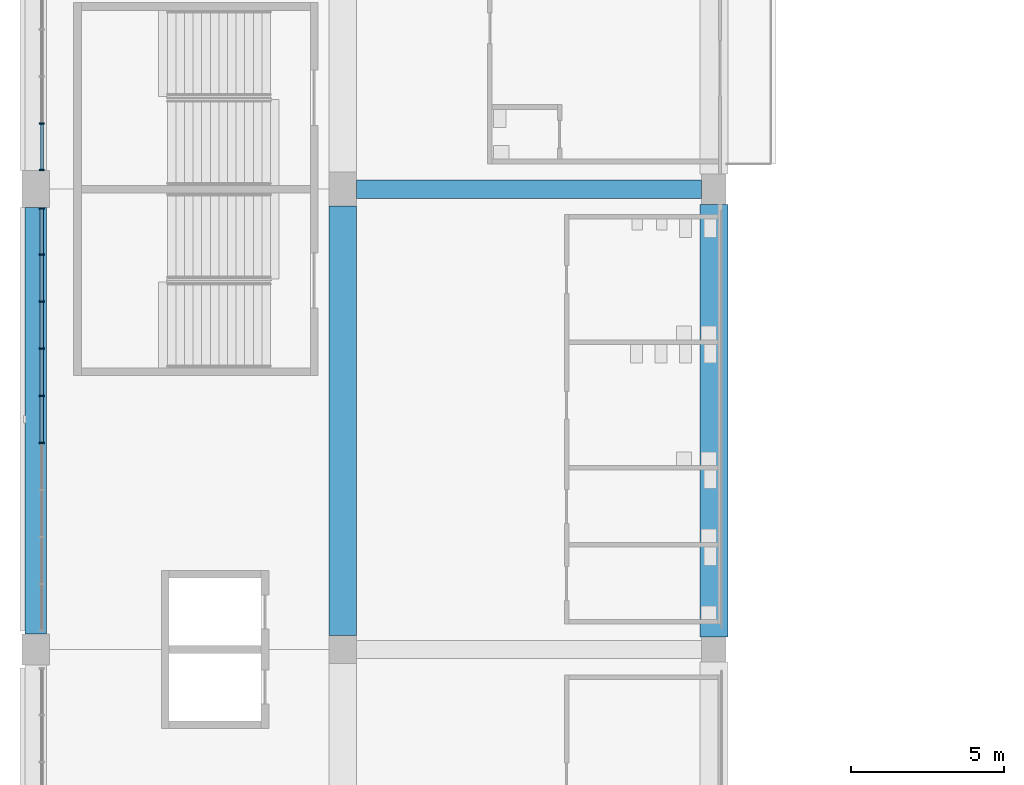
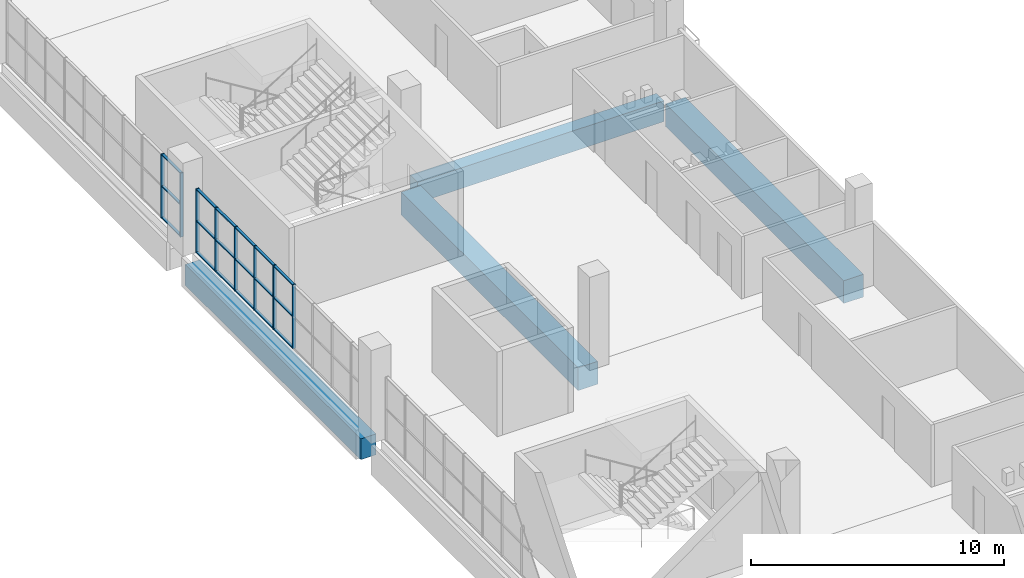
# One storey, part 20 of 199: 26 members, 4 beams, 2 elements without a shape of their own.
"""IFC4 building model written with IfcOpenShell, lengths in metres."""

import ifcopenshell
import ifcopenshell.guid

model = None  # the IFC model being written
_history = None  # IfcOwnerHistory: only IFC2X3 demands one
_inside = {}  # id of a spatial element -> (the spatial element, [elements in it])
_under = {}  # id of a project, library or spatial element -> (it, [spatial elements below it])
_declared = {}  # id of a project -> (the project, [libraries it declares])
_typed = {}  # id of a type object -> (the type object, [elements of that type])
_made_of = {}  # id of a material, layer set ... -> (it, [elements and type objects made of it])


def new_model(schema):
    """Start an empty IFC model of exactly this schema.

    Asked for "IFC4X3", IfcOpenShell would pick the latest addendum, in which some entities
    have other attributes; the version numbers below select the first issue.
    IFC2X3 requires an IfcOwnerHistory on every rooted entity: one is made here for all.
    """
    global model, _history
    if schema == "IFC4X3":
        model = ifcopenshell.file(schema_version=(4, 3, 0, 0))
    else:
        model = ifcopenshell.file(schema=schema)
    _inside.clear()
    _under.clear()
    _declared.clear()
    _typed.clear()
    _made_of.clear()
    _history = None
    if model.schema == "IFC2X3":
        org = make("IfcOrganization", Name="unknown")
        user = make(
            "IfcPersonAndOrganization",
            ThePerson=make("IfcPerson", FamilyName="unknown"),
            TheOrganization=org,
        )
        app = make(
            "IfcApplication",
            ApplicationDeveloper=org,
            Version="unknown",
            ApplicationFullName="unknown",
            ApplicationIdentifier="unknown",
        )
        _history = make(
            "IfcOwnerHistory",
            OwningUser=user,
            OwningApplication=app,
            ChangeAction="ADDED",
            CreationDate=0,
        )
    return model


def make(cls, **values):
    """One entity of the class cls with the attributes given. An attribute that is None is left unset."""
    return model.create_entity(
        cls, **{name: value for name, value in values.items() if value is not None}
    )


def rooted(cls, **values):
    """An entity with a GlobalId (a new one), such as an element, a storey or a relation."""
    return make(cls, GlobalId=ifcopenshell.guid.new(), OwnerHistory=_history, **values)


def si_unit(unit_type, name, prefix=None):
    """IfcSIUnit, for example si_unit("LENGTHUNIT", "METRE", prefix="MILLI")."""
    return make("IfcSIUnit", UnitType=unit_type, Prefix=prefix, Name=name)


def assignment(units):
    """IfcUnitAssignment: the units of a project."""
    return None if units is None else make("IfcUnitAssignment", Units=units)


def point(xyz):
    """IfcCartesianPoint."""
    return None if xyz is None else make("IfcCartesianPoint", Coordinates=xyz)


def direction(xyz):
    """IfcDirection."""
    return None if xyz is None else make("IfcDirection", DirectionRatios=xyz)


def frame(location, z_axis=None, x_axis=None):
    """IfcAxis2Placement3D, a coordinate frame: its origin and axes. An axis left out is left unset."""
    return make(
        "IfcAxis2Placement3D",
        Location=point(location),
        Axis=direction(z_axis),
        RefDirection=direction(x_axis),
    )


def frame_2d(location, x_axis=None):
    """IfcAxis2Placement2D, a coordinate frame in the plane: its origin and x axis."""
    return make(
        "IfcAxis2Placement2D", Location=point(location), RefDirection=direction(x_axis)
    )


def origin():
    """The frame at (0, 0, 0) with its axes left unset."""
    return frame((0.0, 0.0, 0.0))


def origin_2d():
    """The frame at (0, 0) in the plane with its x axis left unset."""
    return frame_2d((0.0, 0.0))


def place(relative_to, where):
    """IfcLocalPlacement: puts the frame where relative to a parent placement (None: the world)."""
    return make(
        "IfcLocalPlacement", PlacementRelTo=relative_to, RelativePlacement=where
    )


def context(
    kind, dimensions, precision=None, world=None, true_north=None, identifier=None
):
    """IfcGeometricRepresentationContext, for example the 3D "Model" context."""
    return make(
        "IfcGeometricRepresentationContext",
        ContextIdentifier=identifier,
        ContextType=kind,
        CoordinateSpaceDimension=dimensions,
        Precision=precision,
        WorldCoordinateSystem=world,
        TrueNorth=true_north,
    )


def subcontext(parent, identifier, kind, view, scale=None):
    """IfcGeometricRepresentationSubContext, for example "Body" below "Model"."""
    return make(
        "IfcGeometricRepresentationSubContext",
        ContextIdentifier=identifier,
        ContextType=kind,
        ParentContext=parent,
        TargetScale=scale,
        TargetView=view,
    )


def project(units=None, contexts=None):
    """IfcProject with its units and contexts."""
    return rooted(
        "IfcProject",
        Name="project",
        RepresentationContexts=contexts,
        UnitsInContext=assignment(units),
    )


def spatial(cls, under=None, at=None, **own):
    """A site, building, storey or space (cls), placed at a placement, below another one or the project."""
    s = rooted(cls, ObjectPlacement=at, **own)
    if under is not None:
        _under.setdefault(under.id(), (under, []))[1].append(s)
    return s


def profile(cls, at=None, kind="AREA", **sizes):
    """A parametric profile (cls). Its sizes go by their IFC names, for example OverallWidth=200.0."""
    return make(cls, ProfileType=kind, Position=at, **sizes)


def rectangle(**sizes):
    """IfcRectangleProfileDef."""
    return profile("IfcRectangleProfileDef", **sizes)


def extrude(swept, where, along, depth):
    """IfcExtrudedAreaSolid: the profile swept, set in the frame where, extruded along a direction by depth."""
    return make(
        "IfcExtrudedAreaSolid",
        SweptArea=swept,
        Position=where,
        ExtrudedDirection=direction(along),
        Depth=depth,
    )


def shape(context_of_items, identifier, shape_type, items):
    """IfcShapeRepresentation: the items that make up one representation, for example the "Body"."""
    return make(
        "IfcShapeRepresentation",
        ContextOfItems=context_of_items,
        RepresentationIdentifier=identifier,
        RepresentationType=shape_type,
        Items=items,
    )


def material(Name=None, Category=None):
    """IfcMaterial."""
    return make("IfcMaterial", Name=Name, Category=Category)


def material_profile(
    of_material, cross_section, Name=None, Category=None, Priority=None
):
    """IfcMaterialProfile: a cross section and its material."""
    return make(
        "IfcMaterialProfile",
        Name=Name,
        Material=of_material,
        Profile=cross_section,
        Priority=Priority,
        Category=Category,
    )


def profile_set(profiles, Name=None, composite=None):
    """IfcMaterialProfileSet."""
    return make(
        "IfcMaterialProfileSet",
        Name=Name,
        MaterialProfiles=profiles,
        CompositeProfile=composite,
    )


def made_of(thing, what):
    """Note that an element or type object is made of a material, layer set ...; save() writes the relation."""
    if what is not None:
        _made_of.setdefault(what.id(), (what, []))[1].append(thing)
    return thing


def type_object(cls, material=None, **own):
    """A type object (cls), such as IfcWallType, which elements share."""
    return made_of(rooted(cls, **own), material)


def element(
    cls,
    number,
    at=None,
    inside=None,
    cuts=None,
    type_object=None,
    material=None,
    context=None,
    identifier="Body",
    shape_type=None,
    held_by="IfcProductDefinitionShape",
    body=None,
    shapes=None,
    **own,
):
    """One element of the class cls, such as IfcWall. Its Tag is "e" and its number.

    at: its placement. inside: the storey or other place that contains it. cuts: it is an
    opening in that element (IfcRelVoidsElement). A single representation is given by context,
    identifier, shape_type and body (its items); several are given by shapes. held_by: the class
    of the entity that holds the representations. save() writes the other relations.
    """
    e = rooted(cls, Tag="e%d" % number, ObjectPlacement=at, **own)
    if body is not None:
        shapes = [shape(context, identifier, shape_type, body)]
    if shapes is not None:
        e.Representation = make(held_by, Representations=shapes)
    if inside is not None:
        _inside.setdefault(inside.id(), (inside, []))[1].append(e)
    if cuts is not None:
        rooted(
            "IfcRelVoidsElement", RelatingBuildingElement=cuts, RelatedOpeningElement=e
        )
    if type_object is not None:
        _typed.setdefault(type_object.id(), (type_object, []))[1].append(e)
    return made_of(e, material)


def aggregate(whole, parts):
    """IfcRelAggregates: a whole, such as a stair, and the parts it consists of."""
    return rooted("IfcRelAggregates", RelatingObject=whole, RelatedObjects=parts)


def save(model, path):
    """Write the relations noted so far, then the file.

    IfcRelAggregates (storeys below a building ...), IfcRelContainedInSpatialStructure (elements
    in a storey), IfcRelDefinesByType, IfcRelAssociatesMaterial and IfcRelDeclares: one each for
    every whole, place, type object, material and project.
    """
    for whole, parts in _under.values():
        aggregate(whole, parts)
    for where, things in _inside.values():
        rooted(
            "IfcRelContainedInSpatialStructure",
            RelatedElements=things,
            RelatingStructure=where,
        )
    for kind, things in _typed.values():
        rooted("IfcRelDefinesByType", RelatedObjects=things, RelatingType=kind)
    for what, things in _made_of.values():
        rooted("IfcRelAssociatesMaterial", RelatedObjects=things, RelatingMaterial=what)
    for by, libraries in _declared.values():
        rooted("IfcRelDeclares", RelatingContext=by, RelatedDefinitions=libraries)
    model.write(path)


model = new_model("IFC4")

# Units and contexts
model_context = context("Model", 3, precision=1e-05, world=origin(), true_north=direction((0.0, 1.0)))
body_context = subcontext(model_context, "Body", "Model", "MODEL_VIEW")
ifc_project = project(units=[si_unit("LENGTHUNIT", "METRE"), si_unit("AREAUNIT", "SQUARE_METRE"), si_unit("VOLUMEUNIT", "CUBIC_METRE"), si_unit("PLANEANGLEUNIT", "RADIAN"), si_unit("MASSUNIT", "GRAM", prefix="KILO")], contexts=[model_context])

# Site, building, storey
site_placement = place(None, origin())
site = spatial("IfcSite", under=ifc_project, at=site_placement, CompositionType="ELEMENT")
building_placement = place(site_placement, origin())
building = spatial("IfcBuilding", under=site, at=building_placement, Name="Ogive Plaza Stadium", CompositionType="ELEMENT")
storey_placement = place(building_placement, frame((0.0, 0.0, 9.0)))
storey = spatial("IfcBuildingStorey", under=building, at=storey_placement, Name="L02", CompositionType="ELEMENT", Elevation=9.0)

# Curtain wall, members
ifc_material_1 = material(Name="Bronze-anodised aluminium with laminated glass", Category="aluminium")
curtain_wall_type = type_object("IfcCurtainWallType", Name="Lancet curtain wall", PredefinedType="NOTDEFINED", material=ifc_material_1)
curtain_wall_1_placement = place(storey_placement, origin())
curtain_wall_1 = element("IfcCurtainWall", 1, at=curtain_wall_1_placement, inside=storey, type_object=curtain_wall_type, Name="CURTAIN WALL B25 L02", PredefinedType="NOTDEFINED")
ifc_material_2 = material(Name="Bronze-anodised aluminium", Category="aluminium")
ifc_material_profile_1 = material_profile(ifc_material_2, rectangle(XDim=0.14990234375, YDim=0.050048828125, at=origin_2d()), Name="AL 150x50")
ifc_profile_set_1 = profile_set([ifc_material_profile_1], Name="Bronze-anodised aluminium")
member_type_1 = type_object("IfcMemberType", Name="Curtain wall mullion 50x150", PredefinedType="MULLION", material=ifc_profile_set_1)
member_1_placement = place(storey_placement, frame((-83.800048828125, 14.2333984375, 0.0), z_axis=(0.0, 0.0, 1.0), x_axis=(-1.0, 0.0, 0.0)))
member_1 = element("IfcMember", 2, at=member_1_placement, type_object=member_type_1, Name="CW-B25-L02 mullion 5", PredefinedType="MULLION", context=body_context, shape_type="SweptSolid", body=[
    extrude(rectangle(XDim=0.14990234375, YDim=0.050048828125, at=origin_2d()), origin(), (0.0, 0.0, 1.0), 3.090087890625),
])
member_2_placement = place(storey_placement, frame((-83.800048828125, 15.7666015625, 0.0), z_axis=(0.0, 0.0, 1.0), x_axis=(-1.0, 0.0, 0.0)))
member_2 = element("IfcMember", 3, at=member_2_placement, type_object=member_type_1, Name="CW-B25-L02 mullion 6", PredefinedType="MULLION", context=body_context, shape_type="SweptSolid", body=[
    extrude(rectangle(XDim=0.14990234375, YDim=0.050048828125, at=origin_2d()), origin(), (0.0, 0.0, 1.0), 3.090087890625),
])
member_3_placement = place(storey_placement, frame((-83.800048828125, 17.300048828125, 0.0), z_axis=(0.0, 0.0, 1.0), x_axis=(-1.0, 0.0, 0.0)))
member_3 = element("IfcMember", 4, at=member_3_placement, type_object=member_type_1, Name="CW-B25-L02 mullion 7", PredefinedType="MULLION", context=body_context, shape_type="SweptSolid", body=[
    extrude(rectangle(XDim=0.14990234375, YDim=0.050048828125, at=origin_2d()), origin(), (0.0, 0.0, 1.0), 3.090087890625),
])
member_4_placement = place(storey_placement, frame((-83.800048828125, 18.833251953125, 0.0), z_axis=(0.0, 0.0, 1.0), x_axis=(-1.0, 0.0, 0.0)))
member_4 = element("IfcMember", 5, at=member_4_placement, type_object=member_type_1, Name="CW-B25-L02 mullion 8", PredefinedType="MULLION", context=body_context, shape_type="SweptSolid", body=[
    extrude(rectangle(XDim=0.14990234375, YDim=0.050048828125, at=origin_2d()), origin(), (0.0, 0.0, 1.0), 3.090087890625),
])
member_5_placement = place(storey_placement, frame((-83.800048828125, 20.36669921875, 0.0), z_axis=(0.0, 0.0, 1.0), x_axis=(-1.0, 0.0, 0.0)))
member_5 = element("IfcMember", 6, at=member_5_placement, type_object=member_type_1, Name="CW-B25-L02 mullion 9", PredefinedType="MULLION", context=body_context, shape_type="SweptSolid", body=[
    extrude(rectangle(XDim=0.14990234375, YDim=0.050048828125, at=origin_2d()), origin(), (0.0, 0.0, 1.0), 3.090087890625),
])
member_6_placement = place(storey_placement, frame((-83.800048828125, 21.875, 0.0), z_axis=(0.0, 0.0, 1.0), x_axis=(-1.0, 0.0, 0.0)))
member_6 = element("IfcMember", 7, at=member_6_placement, type_object=member_type_1, Name="CW-B25-L02 mullion 10", PredefinedType="MULLION", context=body_context, shape_type="SweptSolid", body=[
    extrude(rectangle(XDim=0.14990234375, YDim=0.050048828125, at=origin_2d()), origin(), (0.0, 0.0, 1.0), 3.090087890625),
])

curtain_wall_2_placement = place(storey_placement, origin())
curtain_wall_2 = element("IfcCurtainWall", 8, at=curtain_wall_2_placement, inside=storey, type_object=curtain_wall_type, Name="CURTAIN WALL B26 L02", PredefinedType="NOTDEFINED")
member_7_placement = place(storey_placement, frame((-83.800048828125, 23.125, 0.0), z_axis=(0.0, 0.0, 1.0), x_axis=(-1.0, 0.0, 0.0)))
member_7 = element("IfcMember", 9, at=member_7_placement, type_object=member_type_1, Name="CW-B26-L02 mullion 1", PredefinedType="MULLION", context=body_context, shape_type="SweptSolid", body=[
    extrude(rectangle(XDim=0.14990234375, YDim=0.050048828125, at=origin_2d()), origin(), (0.0, 0.0, 1.0), 3.090087890625),
])
member_8_placement = place(storey_placement, frame((-83.800048828125, 24.63330078125, 0.0), z_axis=(0.0, 0.0, 1.0), x_axis=(-1.0, 0.0, 0.0)))
member_8 = element("IfcMember", 10, at=member_8_placement, type_object=member_type_1, Name="CW-B26-L02 mullion 2", PredefinedType="MULLION", context=body_context, shape_type="SweptSolid", body=[
    extrude(rectangle(XDim=0.14990234375, YDim=0.050048828125, at=origin_2d()), origin(), (0.0, 0.0, 1.0), 3.090087890625),
])

# Member
ifc_material_3 = material(Name="Bronze-anodised aluminium", Category="aluminium")
ifc_material_profile_2 = material_profile(ifc_material_3, rectangle(XDim=0.1201171875, YDim=0.050048828125, at=origin_2d()), Name="AL 120x50")
ifc_profile_set_2 = profile_set([ifc_material_profile_2], Name="Bronze-anodised aluminium")
member_type_2 = type_object("IfcMemberType", Name="Curtain wall transom 50x120", PredefinedType="USERDEFINED", material=ifc_profile_set_2)
member_9_placement = place(storey_placement, frame((-83.800048828125, 14.25830078125, 0.02490234375), z_axis=(0.0, 1.0, 0.0), x_axis=(-1.0, 0.0, 0.0)))
member_9 = element("IfcMember", 11, at=member_9_placement, type_object=member_type_2, Name="CW-B25-L02 transom 5.1", ObjectType="TRANSOM", PredefinedType="USERDEFINED", context=body_context, shape_type="SweptSolid", body=[
    extrude(rectangle(XDim=0.1201171875, YDim=0.050048828125, at=origin_2d()), origin(), (0.0, 0.0, 1.0), 1.4833984375),
])

member_10_placement = place(storey_placement, frame((-83.800048828125, 14.25830078125, 1.544921875), z_axis=(0.0, 1.0, 0.0), x_axis=(-1.0, 0.0, 0.0)))
member_10 = element("IfcMember", 12, at=member_10_placement, type_object=member_type_2, Name="CW-B25-L02 transom 5.2", ObjectType="TRANSOM", PredefinedType="USERDEFINED", context=body_context, shape_type="SweptSolid", body=[
    extrude(rectangle(XDim=0.1201171875, YDim=0.050048828125, at=origin_2d()), origin(), (0.0, 0.0, 1.0), 1.4833984375),
])

member_11_placement = place(storey_placement, frame((-83.800048828125, 14.25830078125, 3.06494140625), z_axis=(0.0, 1.0, 0.0), x_axis=(-1.0, 0.0, 0.0)))
member_11 = element("IfcMember", 13, at=member_11_placement, type_object=member_type_2, Name="CW-B25-L02 transom 5.3", ObjectType="TRANSOM", PredefinedType="USERDEFINED", context=body_context, shape_type="SweptSolid", body=[
    extrude(rectangle(XDim=0.1201171875, YDim=0.050048828125, at=origin_2d()), origin(), (0.0, 0.0, 1.0), 1.4833984375),
])

member_12_placement = place(storey_placement, frame((-83.800048828125, 15.791748046875, 0.02490234375), z_axis=(0.0, 1.0, 0.0), x_axis=(-1.0, 0.0, 0.0)))
member_12 = element("IfcMember", 14, at=member_12_placement, type_object=member_type_2, Name="CW-B25-L02 transom 6.1", ObjectType="TRANSOM", PredefinedType="USERDEFINED", context=body_context, shape_type="SweptSolid", body=[
    extrude(rectangle(XDim=0.1201171875, YDim=0.050048828125, at=origin_2d()), origin(), (0.0, 0.0, 1.0), 1.483154296875),
])

member_13_placement = place(storey_placement, frame((-83.800048828125, 15.791748046875, 1.544921875), z_axis=(0.0, 1.0, 0.0), x_axis=(-1.0, 0.0, 0.0)))
member_13 = element("IfcMember", 15, at=member_13_placement, type_object=member_type_2, Name="CW-B25-L02 transom 6.2", ObjectType="TRANSOM", PredefinedType="USERDEFINED", context=body_context, shape_type="SweptSolid", body=[
    extrude(rectangle(XDim=0.1201171875, YDim=0.050048828125, at=origin_2d()), origin(), (0.0, 0.0, 1.0), 1.483154296875),
])

member_14_placement = place(storey_placement, frame((-83.800048828125, 15.791748046875, 3.06494140625), z_axis=(0.0, 1.0, 0.0), x_axis=(-1.0, 0.0, 0.0)))
member_14 = element("IfcMember", 16, at=member_14_placement, type_object=member_type_2, Name="CW-B25-L02 transom 6.3", ObjectType="TRANSOM", PredefinedType="USERDEFINED", context=body_context, shape_type="SweptSolid", body=[
    extrude(rectangle(XDim=0.1201171875, YDim=0.050048828125, at=origin_2d()), origin(), (0.0, 0.0, 1.0), 1.483154296875),
])

member_15_placement = place(storey_placement, frame((-83.800048828125, 17.324951171875, 0.02490234375), z_axis=(0.0, 1.0, 0.0), x_axis=(-1.0, 0.0, 0.0)))
member_15 = element("IfcMember", 17, at=member_15_placement, type_object=member_type_2, Name="CW-B25-L02 transom 7.1", ObjectType="TRANSOM", PredefinedType="USERDEFINED", context=body_context, shape_type="SweptSolid", body=[
    extrude(rectangle(XDim=0.1201171875, YDim=0.050048828125, at=origin_2d()), origin(), (0.0, 0.0, 1.0), 1.4833984375),
])

member_16_placement = place(storey_placement, frame((-83.800048828125, 17.324951171875, 1.544921875), z_axis=(0.0, 1.0, 0.0), x_axis=(-1.0, 0.0, 0.0)))
member_16 = element("IfcMember", 18, at=member_16_placement, type_object=member_type_2, Name="CW-B25-L02 transom 7.2", ObjectType="TRANSOM", PredefinedType="USERDEFINED", context=body_context, shape_type="SweptSolid", body=[
    extrude(rectangle(XDim=0.1201171875, YDim=0.050048828125, at=origin_2d()), origin(), (0.0, 0.0, 1.0), 1.4833984375),
])

member_17_placement = place(storey_placement, frame((-83.800048828125, 17.324951171875, 3.06494140625), z_axis=(0.0, 1.0, 0.0), x_axis=(-1.0, 0.0, 0.0)))
member_17 = element("IfcMember", 19, at=member_17_placement, type_object=member_type_2, Name="CW-B25-L02 transom 7.3", ObjectType="TRANSOM", PredefinedType="USERDEFINED", context=body_context, shape_type="SweptSolid", body=[
    extrude(rectangle(XDim=0.1201171875, YDim=0.050048828125, at=origin_2d()), origin(), (0.0, 0.0, 1.0), 1.4833984375),
])

member_18_placement = place(storey_placement, frame((-83.800048828125, 18.8583984375, 0.02490234375), z_axis=(0.0, 1.0, 0.0), x_axis=(-1.0, 0.0, 0.0)))
member_18 = element("IfcMember", 20, at=member_18_placement, type_object=member_type_2, Name="CW-B25-L02 transom 8.1", ObjectType="TRANSOM", PredefinedType="USERDEFINED", context=body_context, shape_type="SweptSolid", body=[
    extrude(rectangle(XDim=0.1201171875, YDim=0.050048828125, at=origin_2d()), origin(), (0.0, 0.0, 1.0), 1.483154296875),
])

member_19_placement = place(storey_placement, frame((-83.800048828125, 18.8583984375, 1.544921875), z_axis=(0.0, 1.0, 0.0), x_axis=(-1.0, 0.0, 0.0)))
member_19 = element("IfcMember", 21, at=member_19_placement, type_object=member_type_2, Name="CW-B25-L02 transom 8.2", ObjectType="TRANSOM", PredefinedType="USERDEFINED", context=body_context, shape_type="SweptSolid", body=[
    extrude(rectangle(XDim=0.1201171875, YDim=0.050048828125, at=origin_2d()), origin(), (0.0, 0.0, 1.0), 1.483154296875),
])

member_20_placement = place(storey_placement, frame((-83.800048828125, 18.8583984375, 3.06494140625), z_axis=(0.0, 1.0, 0.0), x_axis=(-1.0, 0.0, 0.0)))
member_20 = element("IfcMember", 22, at=member_20_placement, type_object=member_type_2, Name="CW-B25-L02 transom 8.3", ObjectType="TRANSOM", PredefinedType="USERDEFINED", context=body_context, shape_type="SweptSolid", body=[
    extrude(rectangle(XDim=0.1201171875, YDim=0.050048828125, at=origin_2d()), origin(), (0.0, 0.0, 1.0), 1.483154296875),
])

member_21_placement = place(storey_placement, frame((-83.800048828125, 20.3916015625, 0.02490234375), z_axis=(0.0, 1.0, 0.0), x_axis=(-1.0, 0.0, 0.0)))
member_21 = element("IfcMember", 23, at=member_21_placement, type_object=member_type_2, Name="CW-B25-L02 transom 9.1", ObjectType="TRANSOM", PredefinedType="USERDEFINED", context=body_context, shape_type="SweptSolid", body=[
    extrude(rectangle(XDim=0.1201171875, YDim=0.050048828125, at=origin_2d()), origin(), (0.0, 0.0, 1.0), 1.45849609375),
])

member_22_placement = place(storey_placement, frame((-83.800048828125, 20.3916015625, 1.544921875), z_axis=(0.0, 1.0, 0.0), x_axis=(-1.0, 0.0, 0.0)))
member_22 = element("IfcMember", 24, at=member_22_placement, type_object=member_type_2, Name="CW-B25-L02 transom 9.2", ObjectType="TRANSOM", PredefinedType="USERDEFINED", context=body_context, shape_type="SweptSolid", body=[
    extrude(rectangle(XDim=0.1201171875, YDim=0.050048828125, at=origin_2d()), origin(), (0.0, 0.0, 1.0), 1.45849609375),
])

member_23_placement = place(storey_placement, frame((-83.800048828125, 20.3916015625, 3.06494140625), z_axis=(0.0, 1.0, 0.0), x_axis=(-1.0, 0.0, 0.0)))
member_23 = element("IfcMember", 25, at=member_23_placement, type_object=member_type_2, Name="CW-B25-L02 transom 9.3", ObjectType="TRANSOM", PredefinedType="USERDEFINED", context=body_context, shape_type="SweptSolid", body=[
    extrude(rectangle(XDim=0.1201171875, YDim=0.050048828125, at=origin_2d()), origin(), (0.0, 0.0, 1.0), 1.45849609375),
])

aggregate(curtain_wall_1, [member_1, member_2, member_3, member_4, member_5, member_6, member_9, member_10, member_11, member_12, member_13, member_14, member_15, member_16, member_17, member_18, member_19, member_20, member_21, member_22, member_23])

member_24_placement = place(storey_placement, frame((-83.800048828125, 23.14990234375, 0.02490234375), z_axis=(0.0, 1.0, 0.0), x_axis=(-1.0, 0.0, 0.0)))
member_24 = element("IfcMember", 26, at=member_24_placement, type_object=member_type_2, Name="CW-B26-L02 transom 1.1", ObjectType="TRANSOM", PredefinedType="USERDEFINED", context=body_context, shape_type="SweptSolid", body=[
    extrude(rectangle(XDim=0.1201171875, YDim=0.050048828125, at=origin_2d()), origin(), (0.0, 0.0, 1.0), 1.45849609375),
])

member_25_placement = place(storey_placement, frame((-83.800048828125, 23.14990234375, 1.544921875), z_axis=(0.0, 1.0, 0.0), x_axis=(-1.0, 0.0, 0.0)))
member_25 = element("IfcMember", 27, at=member_25_placement, type_object=member_type_2, Name="CW-B26-L02 transom 1.2", ObjectType="TRANSOM", PredefinedType="USERDEFINED", context=body_context, shape_type="SweptSolid", body=[
    extrude(rectangle(XDim=0.1201171875, YDim=0.050048828125, at=origin_2d()), origin(), (0.0, 0.0, 1.0), 1.45849609375),
])

member_26_placement = place(storey_placement, frame((-83.800048828125, 23.14990234375, 3.06494140625), z_axis=(0.0, 1.0, 0.0), x_axis=(-1.0, 0.0, 0.0)))
member_26 = element("IfcMember", 28, at=member_26_placement, type_object=member_type_2, Name="CW-B26-L02 transom 1.3", ObjectType="TRANSOM", PredefinedType="USERDEFINED", context=body_context, shape_type="SweptSolid", body=[
    extrude(rectangle(XDim=0.1201171875, YDim=0.050048828125, at=origin_2d()), origin(), (0.0, 0.0, 1.0), 1.45849609375),
])

aggregate(curtain_wall_2, [member_7, member_8, member_24, member_25, member_26])

# Beams
ifc_material_4 = material(Name="Concrete C40/50", Category="concrete")
ifc_material_profile_3 = material_profile(ifc_material_4, rectangle(XDim=0.60009765625, YDim=1.0, at=origin_2d()), Name="RC 600x1000")
ifc_profile_set_3 = profile_set([ifc_material_profile_3], Name="Concrete C40/50")
beam_type_1 = type_object("IfcBeamType", Name="RC radial beam 600x1000", PredefinedType="BEAM", material=ifc_profile_set_3)
beam_1_placement = place(storey_placement, frame((-62.300048828125, 22.5, -0.909912109375), z_axis=(-1.0, 0.0, 0.0), x_axis=(0.0, -1.0, 0.0)))
element("IfcBeam", 29, at=beam_1_placement, inside=storey, type_object=beam_type_1, Name="Radial beam L02 R26 F3F4", PredefinedType="BEAM", context=body_context, shape_type="SweptSolid", body=[
    extrude(rectangle(XDim=0.60009765625, YDim=1.0, at=origin_2d()), origin(), (0.0, 0.0, 1.0), 11.25),
])
ifc_material_5 = material(Name="Concrete C40/50", Category="concrete")
ifc_material_profile_4 = material_profile(ifc_material_5, rectangle(XDim=0.89990234375, YDim=1.10009765625, at=origin_2d()), Name="RC 900x1100")
ifc_profile_set_4 = profile_set([ifc_material_profile_4], Name="Concrete C40/50")
beam_type_2 = type_object("IfcBeamType", Name="RC ring beam 900x1100", PredefinedType="BEAM", material=ifc_profile_set_4)
beam_2_placement = place(storey_placement, frame((-74.0, 7.949951171875, -0.9599609375), z_axis=(0.0, 1.0, 0.0), x_axis=(-1.0, 0.0, 0.0)))
element("IfcBeam", 30, at=beam_2_placement, inside=storey, type_object=beam_type_2, Name="Ring beam F4 L02 B25", PredefinedType="BEAM", context=body_context, shape_type="SweptSolid", body=[
    extrude(rectangle(XDim=0.89990234375, YDim=1.10009765625, at=origin_2d()), origin(), (0.0, 0.0, 1.0), 14.0),
])
beam_3_placement = place(storey_placement, frame((-61.89990234375, 7.89990234375, -0.9599609375), z_axis=(0.0, 1.0, 0.0), x_axis=(-1.0, 0.0, 0.0)))
element("IfcBeam", 31, at=beam_3_placement, inside=storey, type_object=beam_type_2, Name="Ring beam F3 L02 B25", PredefinedType="BEAM", context=body_context, shape_type="SweptSolid", body=[
    extrude(rectangle(XDim=0.89990234375, YDim=1.10009765625, at=origin_2d()), origin(), (0.0, 0.0, 1.0), 14.10009765625),
])
ifc_material_6 = material(Name="Concrete C40/50", Category="concrete")
ifc_material_profile_5 = material_profile(ifc_material_6, rectangle(XDim=0.699951171875, YDim=1.0, at=origin_2d()), Name="RC 700x1000")
ifc_profile_set_5 = profile_set([ifc_material_profile_5], Name="Concrete C40/50")
beam_type_3 = type_object("IfcBeamType", Name="RC spandrel beam 700x1000", PredefinedType="SPANDREL", material=ifc_profile_set_5)
beam_4_placement = place(storey_placement, frame((-84.0, 8.0, -0.909912109375), z_axis=(0.0, 1.0, 0.0), x_axis=(-1.0, 0.0, 0.0)))
element("IfcBeam", 32, at=beam_4_placement, inside=storey, type_object=beam_type_3, Name="Ring beam F5 L02 B25", PredefinedType="SPANDREL", context=body_context, shape_type="SweptSolid", body=[
    extrude(rectangle(XDim=0.699951171875, YDim=1.0, at=origin_2d()), origin(), (0.0, 0.0, 1.0), 13.89990234375),
])

save(model, "model.ifc")
